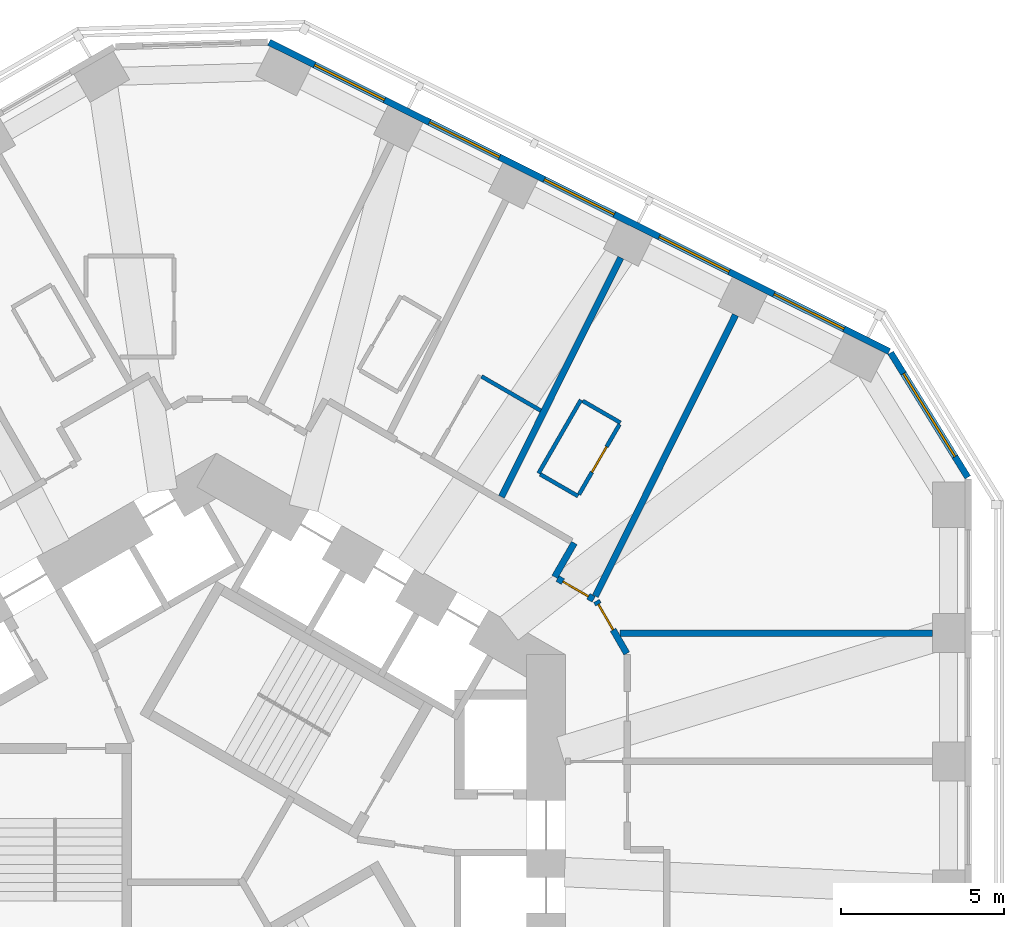
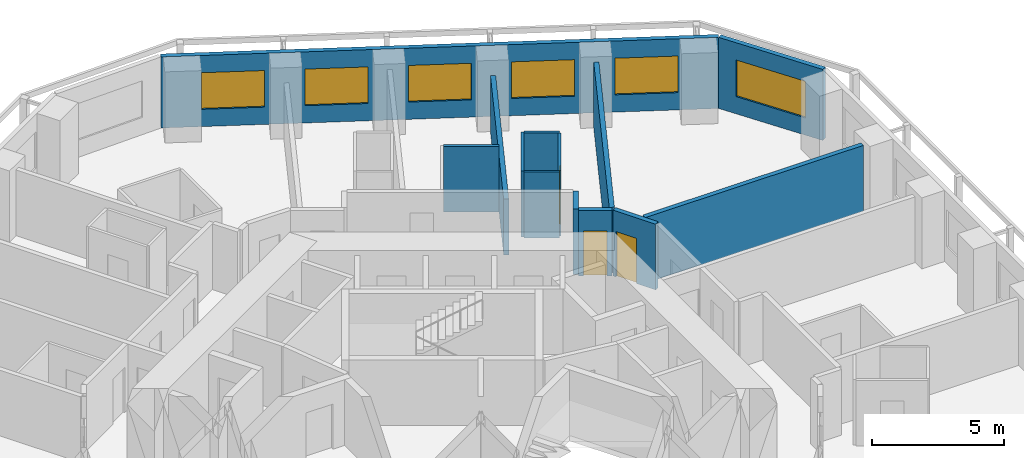
# One storey, part 9 of 12: 13 walls, 6 windows, 3 doors, 9 openings.
"""IFC4 building model written with IfcOpenShell, lengths in metres."""

from ifc_helpers import new_model, si_unit, direction, frame, frame_2d, origin, place, context, subcontext, project, spatial, rectangle, extrude, material, layer, layer_set, type_object, element, fill, save


model = new_model("IFC4")

# Units and contexts
model_context = context("Model", 3, precision=1e-05, world=origin(), true_north=direction((0.0, 1.0)))
body_context = subcontext(model_context, "Body", "Model", "MODEL_VIEW")
ifc_project = project(units=[si_unit("LENGTHUNIT", "METRE"), si_unit("AREAUNIT", "SQUARE_METRE"), si_unit("VOLUMEUNIT", "CUBIC_METRE"), si_unit("PLANEANGLEUNIT", "RADIAN"), si_unit("MASSUNIT", "GRAM", prefix="KILO")], contexts=[model_context])

# Site, building, storey
site_placement = place(None, origin())
site = spatial("IfcSite", under=ifc_project, at=site_placement, CompositionType="ELEMENT")
building_placement = place(site_placement, origin())
building = spatial("IfcBuilding", under=site, at=building_placement, Name="Vanh Sen Convention Tower", CompositionType="ELEMENT")
storey_placement = place(building_placement, frame((0.0, 0.0, 67.10009765625)))
storey = spatial("IfcBuildingStorey", under=building, at=storey_placement, Name="L14", CompositionType="ELEMENT", Elevation=67.10009765625)

# Walls
ifc_material_1 = material(Name="Moisture-resistant gypsum board on steel studs", Category="steel")
ifc_layer_1 = layer(ifc_material_1, 0.1201171875)
ifc_layer_set_1 = layer_set([ifc_layer_1], Name="Moisture-resistant gypsum board on steel studs")
wall_type_1 = type_object("IfcWallType", Name="Bathroom partition 120", PredefinedType="PARTITIONING", material=ifc_layer_set_1)
wall_1_placement = place(storey_placement, frame((8.126708984375, 14.7080078125, 0.0), z_axis=(0.0, 0.0, 1.0), x_axis=(0.866065472234, -0.499930592986, 0.0)))
element("IfcWall", 1, at=wall_1_placement, inside=storey, type_object=wall_type_1, Name="Bathroom partition 120", PredefinedType="PARTITIONING", context=body_context, shape_type="SweptSolid", body=[
    extrude(rectangle(XDim=2.098388671875, YDim=0.1201171875, at=frame_2d((1.04931640625, 0.0))), origin(), (0.0, 0.0, 1.0), 3.0498046875),
])
wall_2_placement = place(storey_placement, frame((9.87451171875, 11.736083984375, 0.0), z_axis=(0.0, 0.0, 1.0), x_axis=(0.499936506574, 0.866062058628, 0.0)))
element("IfcWall", 2, at=wall_2_placement, inside=storey, type_object=wall_type_1, Name="Bathroom partition 120", PredefinedType="PARTITIONING", context=body_context, shape_type="SweptSolid", body=[
    extrude(rectangle(XDim=2.599853515625, YDim=0.1201171875, at=frame_2d((1.2998046875, 0.0))), origin(), (0.0, 0.0, 1.0), 3.0498046875),
])
for number, where, z_axis, x_axis, name in (
    (3, (11.0869140625, 11.0361328125, 0.0), (0.0, 0.0, 1.0), (-0.866036909293, 0.499980071345, 0.0), "Bathroom partition 120"),
    (4, (11.226318359375, 13.957763671875, 0.0), (0.0, 0.0, 1.0), (0.866036909293, -0.499980071345, 0.0), "Bathroom partition 120"),
):
    element("IfcWall", number, at=place(storey_placement, frame(where, z_axis=z_axis, x_axis=x_axis)), inside=storey, type_object=wall_type_1, Name=name, PredefinedType="PARTITIONING", context=body_context, shape_type="SweptSolid", body=[
        extrude(rectangle(XDim=1.33984375, YDim=0.1201171875, at=frame_2d((0.669921875, 0.0))), origin(), (0.0, 0.0, 1.0), 3.0498046875),
    ])

# Wall, opening, door
wall_3_placement = place(storey_placement, frame((12.356689453125, 13.23583984375, 0.0), z_axis=(0.0, 0.0, 1.0), x_axis=(-0.50000366821, -0.866023285932, 0.0)))
wall_3 = element("IfcWall", 5, at=wall_3_placement, inside=storey, type_object=wall_type_1, Name="Bathroom partition 120", PredefinedType="PARTITIONING", context=body_context, shape_type="SweptSolid", body=[
    extrude(rectangle(XDim=2.47998046875, YDim=0.1201171875, at=frame_2d((1.239990234375, 0.0))), origin(), (0.0, 0.0, 1.0), 3.0498046875),
])
opening_1_placement = place(wall_3_placement, frame((0.7900390625, 0.0, 0.0)))
opening_1 = element("IfcOpeningElement", 6, at=opening_1_placement, cuts=wall_3, Name="Opening D13106", PredefinedType="OPENING", context=body_context, shape_type="SweptSolid", body=[
    extrude(rectangle(XDim=0.89990234375, YDim=2.10009765625, at=frame_2d((0.449951171875, 1.050048828125))), frame((0.0, 0.070068359375, 0.0), z_axis=(0.0, -1.0, 0.0), x_axis=(1.0, 0.0, 0.0)), (0.0, 0.0, 1.0), 0.14013671875),
])
ifc_material_2 = material(Name="Laminate door in steel frame", Category="steel")
door_type_1 = type_object("IfcDoorType", Name="En-suite door 900", OperationType="SINGLE_SWING_LEFT", PredefinedType="DOOR", material=ifc_material_2)
door_1_placement = place(opening_1_placement, origin())
door_1 = element("IfcDoor", 7, at=door_1_placement, inside=storey, type_object=door_type_1, Name="En-suite door D13106", OperationType="SINGLE_SWING_LEFT", OverallHeight=2.10009765625, OverallWidth=0.89990234375, PredefinedType="DOOR", context=body_context, shape_type="SweptSolid", body=[
    extrude(rectangle(XDim=0.89990234375, YDim=2.10009765625, at=frame_2d((0.449951171875, 1.050048828125))), frame((0.0, 0.02490234375, 0.0), z_axis=(0.0, -1.0, 0.0), x_axis=(1.0, 0.0, 0.0)), (0.0, 0.0, 1.0), 0.050048828125),
])
fill(opening_1, door_1)

# Wall
ifc_material_3 = material(Name="Gypsum board on steel studs with mineral wool", Category="steel")
ifc_layer_2 = layer(ifc_material_3, 0.199951171875)
ifc_layer_set_2 = layer_set([ifc_layer_2], Name="Gypsum board on steel studs with mineral wool")
wall_type_2 = type_object("IfcWallType", Name="Corridor partition wall 200", PredefinedType="PARTITIONING", material=ifc_layer_set_2)
wall_4_placement = place(storey_placement, frame((10.37109375, 8.561279296875, 0.0), z_axis=(0.0, 0.0, 1.0), x_axis=(0.499986357472, 0.866033280158, 0.0)))
element("IfcWall", 8, at=wall_4_placement, inside=storey, type_object=wall_type_2, Name="Corridor partition wall 200", PredefinedType="PARTITIONING", context=body_context, shape_type="SweptSolid", body=[
    extrude(rectangle(XDim=1.201171875, YDim=0.199951171875, at=frame_2d((0.6005859375, 0.0))), origin(), (0.0, 0.0, 1.0), 3.0498046875),
])

# Wall, opening, door
wall_5_placement = place(storey_placement, frame((11.56640625, 7.871337890625, 0.0), z_axis=(0.0, 0.0, 1.0), x_axis=(-0.866004557827, 0.500036104519, 0.0)))
wall_5 = element("IfcWall", 9, at=wall_5_placement, inside=storey, type_object=wall_type_2, Name="Corridor partition wall 200", PredefinedType="PARTITIONING", context=body_context, shape_type="SweptSolid", body=[
    extrude(rectangle(XDim=1.2802734375, YDim=0.199951171875, at=frame_2d((0.64013671875, 0.0))), origin(), (0.0, 0.0, 1.0), 3.0498046875),
])
opening_2_placement = place(wall_5_placement, frame((0.190185546875, 0.0, 0.0)))
opening_2 = element("IfcOpeningElement", 10, at=opening_2_placement, cuts=wall_5, Name="Opening D13105", PredefinedType="OPENING", context=body_context, shape_type="SweptSolid", body=[
    extrude(rectangle(XDim=0.89990234375, YDim=2.10009765625, at=frame_2d((0.449951171875, 1.050048828125))), frame((0.0, 0.10986328125, 0.0), z_axis=(0.0, -1.0, 0.0), x_axis=(1.0, 0.0, 0.0)), (0.0, 0.0, 1.0), 0.219970703125),
])
ifc_material_4 = material(Name="Timber fire door in steel frame", Category="steel")
door_type_2 = type_object("IfcDoorType", Name="Guest room door 900", OperationType="SINGLE_SWING_LEFT", PredefinedType="DOOR", material=ifc_material_4)
door_2_placement = place(opening_2_placement, origin())
door_2 = element("IfcDoor", 11, at=door_2_placement, inside=storey, type_object=door_type_2, Name="Hotel guest room door D13105", OperationType="SINGLE_SWING_LEFT", OverallHeight=2.10009765625, OverallWidth=0.89990234375, PredefinedType="DOOR", context=body_context, shape_type="SweptSolid", body=[
    extrude(rectangle(XDim=0.89990234375, YDim=2.10009765625, at=frame_2d((0.449951171875, 1.050048828125))), frame((0.0, 0.02490234375, 0.0), z_axis=(0.0, -1.0, 0.0), x_axis=(1.0, 0.0, 0.0)), (0.0, 0.0, 1.0), 0.050048828125),
])
fill(opening_2, door_2)

wall_6_placement = place(storey_placement, frame((12.580078125, 6.212158203125, 0.0), z_axis=(0.0, 0.0, 1.0), x_axis=(-0.500063286585, 0.865988862174, 0.0)))
wall_6 = element("IfcWall", 12, at=wall_6_placement, inside=storey, type_object=wall_type_2, Name="Corridor partition wall 200", PredefinedType="PARTITIONING", context=body_context, shape_type="SweptSolid", body=[
    extrude(rectangle(XDim=1.860107421875, YDim=0.199951171875, at=frame_2d((0.93017578125, 0.0))), origin(), (0.0, 0.0, 1.0), 3.0498046875),
])
opening_3_placement = place(wall_6_placement, frame((0.841796875, 0.0, 0.0)))
opening_3 = element("IfcOpeningElement", 13, at=opening_3_placement, cuts=wall_6, Name="Opening D13104", PredefinedType="OPENING", context=body_context, shape_type="SweptSolid", body=[
    extrude(rectangle(XDim=0.89990234375, YDim=2.10009765625, at=frame_2d((0.449951171875, 1.050048828125))), frame((0.0, 0.10986328125, 0.0), z_axis=(0.0, -1.0, 0.0), x_axis=(1.0, 0.0, 0.0)), (0.0, 0.0, 1.0), 0.219970703125),
])
door_type_3 = type_object("IfcDoorType", Name="Floor room door 900", OperationType="SINGLE_SWING_LEFT", PredefinedType="DOOR", material=ifc_material_4)
door_3_placement = place(opening_3_placement, origin())
door_3 = element("IfcDoor", 14, at=door_3_placement, inside=storey, type_object=door_type_3, Name="Meeting and amenity room door D13104", OperationType="SINGLE_SWING_LEFT", OverallHeight=2.10009765625, OverallWidth=0.89990234375, PredefinedType="DOOR", context=body_context, shape_type="SweptSolid", body=[
    extrude(rectangle(XDim=0.89990234375, YDim=2.10009765625, at=frame_2d((0.449951171875, 1.050048828125))), frame((0.0, 0.02490234375, 0.0), z_axis=(0.0, -1.0, 0.0), x_axis=(1.0, 0.0, 0.0)), (0.0, 0.0, 1.0), 0.050048828125),
])
fill(opening_3, door_3)

# Wall, opening, window
ifc_material_5 = material(Name="Insulated lightweight infill wall")
ifc_layer_3 = layer(ifc_material_5, 0.199951171875)
ifc_layer_set_3 = layer_set([ifc_layer_3], Name="Insulated lightweight infill wall")
wall_type_3 = type_object("IfcWallType", Name="External wall 200", PredefinedType="STANDARD", material=ifc_layer_set_3)
wall_7_placement = place(storey_placement, frame((23.034912109375, 11.612060546875, 0.0), z_axis=(0.0, 0.0, 1.0), x_axis=(-0.526160091227, 0.850385535155, 0.0)))
wall_7 = element("IfcWall", 15, at=wall_7_placement, inside=storey, type_object=wall_type_3, Name="External wall CH1 L14", PredefinedType="STANDARD", context=body_context, shape_type="SweptSolid", body=[
    extrude(rectangle(XDim=4.493896484375, YDim=0.199951171875, at=frame_2d((2.2470703125, 0.0))), origin(), (0.0, 0.0, 1.0), 3.2998046875),
])
opening_4_placement = place(wall_7_placement, frame((0.746826171875, 0.0, 0.800048828125)))
opening_4 = element("IfcOpeningElement", 16, at=opening_4_placement, cuts=wall_7, Name="Opening WH2-CH11", PredefinedType="OPENING", context=body_context, shape_type="SweptSolid", body=[
    extrude(rectangle(XDim=3.0, YDim=1.699951171875, at=frame_2d((1.5, 0.85009765625))), frame((0.0, 0.10986328125, 0.0), z_axis=(0.0, -1.0, 0.0), x_axis=(1.0, 0.0, 0.0)), (0.0, 0.0, 1.0), 0.219970703125),
])
ifc_material_6 = material(Name="Aluminium frame with clear low-emissivity glass", Category="aluminium")
window_type_1 = type_object("IfcWindowType", Name="Hotel window 3000 x 1700", PartitioningType="SINGLE_PANEL", PredefinedType="WINDOW", material=ifc_material_6)
window_1_placement = place(opening_4_placement, origin())
window_1 = element("IfcWindow", 17, at=window_1_placement, inside=storey, type_object=window_type_1, Name="Window WH2-CH11", OverallHeight=1.699951171875, OverallWidth=3.0, PartitioningType="SINGLE_PANEL", PredefinedType="WINDOW", context=body_context, shape_type="SweptSolid", body=[
    extrude(rectangle(XDim=3.0, YDim=1.699951171875, at=frame_2d((1.5, 0.85009765625))), frame((0.0, 0.030029296875, 0.0), z_axis=(0.0, -1.0, 0.0), x_axis=(1.0, 0.0, 0.0)), (0.0, 0.0, 1.0), 0.06005859375),
])
fill(opening_4, window_1)

# Wall, openings, windows
wall_8_placement = place(storey_placement, frame((20.6298828125, 15.470458984375, 0.0), z_axis=(0.0, 0.0, 1.0), x_axis=(-0.894934518609, 0.446197498203, 0.0)))
wall_8 = element("IfcWall", 18, at=wall_8_placement, inside=storey, type_object=wall_type_3, Name="External wall NE L14", PredefinedType="STANDARD", context=body_context, shape_type="SweptSolid", body=[
    extrude(rectangle(XDim=21.24609375, YDim=0.199951171875, at=frame_2d((10.623046875, 0.0))), origin(), (0.0, 0.0, 1.0), 3.2998046875),
])
opening_5_placement = place(wall_8_placement, frame((1.552978515625, 0.0, 0.800048828125)))
opening_5 = element("IfcOpeningElement", 19, at=opening_5_placement, cuts=wall_8, Name="Opening WH1-NE1", PredefinedType="OPENING", context=body_context, shape_type="SweptSolid", body=[
    extrude(rectangle(XDim=2.39990234375, YDim=1.699951171875, at=frame_2d((1.199951171875, 0.85009765625))), frame((0.0, 0.10986328125, 0.0), z_axis=(0.0, -1.0, 0.0), x_axis=(1.0, 0.0, 0.0)), (0.0, 0.0, 1.0), 0.219970703125),
])
opening_6_placement = place(wall_8_placement, frame((5.48779296875, 0.0, 0.800048828125)))
opening_6 = element("IfcOpeningElement", 20, at=opening_6_placement, cuts=wall_8, Name="Opening WH1-NE2", PredefinedType="OPENING", context=body_context, shape_type="SweptSolid", body=[
    extrude(rectangle(XDim=2.39990234375, YDim=1.699951171875, at=frame_2d((1.199951171875, 0.85009765625))), frame((0.0, 0.10986328125, 0.0), z_axis=(0.0, -1.0, 0.0), x_axis=(1.0, 0.0, 0.0)), (0.0, 0.0, 1.0), 0.219970703125),
])
opening_7_placement = place(wall_8_placement, frame((9.42236328125, 0.0, 0.800048828125)))
opening_7 = element("IfcOpeningElement", 21, at=opening_7_placement, cuts=wall_8, Name="Opening WH1-NE3", PredefinedType="OPENING", context=body_context, shape_type="SweptSolid", body=[
    extrude(rectangle(XDim=2.39990234375, YDim=1.699951171875, at=frame_2d((1.199951171875, 0.85009765625))), frame((0.0, 0.10986328125, 0.0), z_axis=(0.0, -1.0, 0.0), x_axis=(1.0, 0.0, 0.0)), (0.0, 0.0, 1.0), 0.219970703125),
])
opening_8_placement = place(wall_8_placement, frame((13.35693359375, 0.0, 0.800048828125)))
opening_8 = element("IfcOpeningElement", 22, at=opening_8_placement, cuts=wall_8, Name="Opening WH1-NE4", PredefinedType="OPENING", context=body_context, shape_type="SweptSolid", body=[
    extrude(rectangle(XDim=2.39990234375, YDim=1.699951171875, at=frame_2d((1.199951171875, 0.85009765625))), frame((0.0, 0.10986328125, 0.0), z_axis=(0.0, -1.0, 0.0), x_axis=(1.0, 0.0, 0.0)), (0.0, 0.0, 1.0), 0.219970703125),
])
opening_9_placement = place(wall_8_placement, frame((17.29150390625, 0.0, 0.800048828125)))
opening_9 = element("IfcOpeningElement", 23, at=opening_9_placement, cuts=wall_8, Name="Opening WH1-NE5", PredefinedType="OPENING", context=body_context, shape_type="SweptSolid", body=[
    extrude(rectangle(XDim=2.39990234375, YDim=1.699951171875, at=frame_2d((1.199951171875, 0.85009765625))), frame((0.0, 0.10986328125, 0.0), z_axis=(0.0, -1.0, 0.0), x_axis=(1.0, 0.0, 0.0)), (0.0, 0.0, 1.0), 0.219970703125),
])
window_type_2 = type_object("IfcWindowType", Name="Hotel window 2400 x 1700", PartitioningType="SINGLE_PANEL", PredefinedType="WINDOW", material=ifc_material_6)
window_2_placement = place(opening_5_placement, origin())
window_2 = element("IfcWindow", 24, at=window_2_placement, inside=storey, type_object=window_type_2, Name="Window WH1-NE1", OverallHeight=1.699951171875, OverallWidth=2.39990234375, PartitioningType="SINGLE_PANEL", PredefinedType="WINDOW", context=body_context, shape_type="SweptSolid", body=[
    extrude(rectangle(XDim=2.39990234375, YDim=1.699951171875, at=frame_2d((1.199951171875, 0.85009765625))), frame((0.0, 0.030029296875, 0.0), z_axis=(0.0, -1.0, 0.0), x_axis=(1.0, 0.0, 0.0)), (0.0, 0.0, 1.0), 0.06005859375),
])
fill(opening_5, window_2)
window_3_placement = place(opening_6_placement, origin())
window_3 = element("IfcWindow", 25, at=window_3_placement, inside=storey, type_object=window_type_2, Name="Window WH1-NE2", OverallHeight=1.699951171875, OverallWidth=2.39990234375, PartitioningType="SINGLE_PANEL", PredefinedType="WINDOW", context=body_context, shape_type="SweptSolid", body=[
    extrude(rectangle(XDim=2.39990234375, YDim=1.699951171875, at=frame_2d((1.199951171875, 0.85009765625))), frame((0.0, 0.030029296875, 0.0), z_axis=(0.0, -1.0, 0.0), x_axis=(1.0, 0.0, 0.0)), (0.0, 0.0, 1.0), 0.06005859375),
])
fill(opening_6, window_3)
window_4_placement = place(opening_7_placement, origin())
window_4 = element("IfcWindow", 26, at=window_4_placement, inside=storey, type_object=window_type_2, Name="Window WH1-NE3", OverallHeight=1.699951171875, OverallWidth=2.39990234375, PartitioningType="SINGLE_PANEL", PredefinedType="WINDOW", context=body_context, shape_type="SweptSolid", body=[
    extrude(rectangle(XDim=2.39990234375, YDim=1.699951171875, at=frame_2d((1.199951171875, 0.85009765625))), frame((0.0, 0.030029296875, 0.0), z_axis=(0.0, -1.0, 0.0), x_axis=(1.0, 0.0, 0.0)), (0.0, 0.0, 1.0), 0.06005859375),
])
fill(opening_7, window_4)
window_5_placement = place(opening_8_placement, origin())
window_5 = element("IfcWindow", 27, at=window_5_placement, inside=storey, type_object=window_type_2, Name="Window WH1-NE4", OverallHeight=1.699951171875, OverallWidth=2.39990234375, PartitioningType="SINGLE_PANEL", PredefinedType="WINDOW", context=body_context, shape_type="SweptSolid", body=[
    extrude(rectangle(XDim=2.39990234375, YDim=1.699951171875, at=frame_2d((1.199951171875, 0.85009765625))), frame((0.0, 0.030029296875, 0.0), z_axis=(0.0, -1.0, 0.0), x_axis=(1.0, 0.0, 0.0)), (0.0, 0.0, 1.0), 0.06005859375),
])
fill(opening_8, window_5)
window_6_placement = place(opening_9_placement, origin())
window_6 = element("IfcWindow", 28, at=window_6_placement, inside=storey, type_object=window_type_2, Name="Window WH1-NE5", OverallHeight=1.699951171875, OverallWidth=2.39990234375, PartitioningType="SINGLE_PANEL", PredefinedType="WINDOW", context=body_context, shape_type="SweptSolid", body=[
    extrude(rectangle(XDim=2.39990234375, YDim=1.699951171875, at=frame_2d((1.199951171875, 0.85009765625))), frame((0.0, 0.030029296875, 0.0), z_axis=(0.0, -1.0, 0.0), x_axis=(1.0, 0.0, 0.0)), (0.0, 0.0, 1.0), 0.06005859375),
])
fill(opening_9, window_6)

# Walls
ifc_layer_4 = layer(ifc_material_3, 0.199951171875)
ifc_layer_set_4 = layer_set([ifc_layer_4], Name="Gypsum board on steel studs with mineral wool")
wall_type_4 = type_object("IfcWallType", Name="Hotel party wall 200", PredefinedType="PARTITIONING", material=ifc_layer_set_4)
wall_9_placement = place(storey_placement, frame((12.393310546875, 18.347900390625, 0.0), z_axis=(0.0, 0.0, 1.0), x_axis=(-0.446176022699, -0.894945225569, 0.0)))
element("IfcWall", 29, at=wall_9_placement, inside=storey, type_object=wall_type_4, Name="Hotel party wall 200", PredefinedType="PARTITIONING", context=body_context, shape_type="SweptSolid", body=[
    extrude(rectangle(XDim=8.19091796875, YDim=0.199951171875, at=frame_2d((4.095458984375, 0.0))), origin(), (0.0, 0.0, 1.0), 2.599853515625),
])
wall_10_placement = place(storey_placement, frame((15.91455078125, 16.59228515625, 0.0), z_axis=(0.0, 0.0, 1.0), x_axis=(-0.446199736347, -0.894933402709, 0.0)))
element("IfcWall", 30, at=wall_10_placement, inside=storey, type_object=wall_type_4, Name="Hotel party wall 200", PredefinedType="PARTITIONING", context=body_context, shape_type="SweptSolid", body=[
    extrude(rectangle(XDim=9.634765625, YDim=0.199951171875, at=frame_2d((4.8173828125, 0.0))), origin(), (0.0, 0.0, 1.0), 3.0498046875),
])
wall_11_placement = place(storey_placement, frame((21.949951171875, 6.839111328125, 0.0), z_axis=(0.0, 0.0, 1.0), x_axis=(-1.0, 0.0, 0.0)))
element("IfcWall", 31, at=wall_11_placement, inside=storey, type_object=wall_type_4, Name="Hotel party wall 200", PredefinedType="PARTITIONING", context=body_context, shape_type="SweptSolid", body=[
    extrude(rectangle(XDim=9.57177734375, YDim=0.199951171875, at=frame_2d((4.785888671875, 0.0))), origin(), (0.0, 0.0, 1.0), 3.0498046875),
])

save(model, "model.ifc")
